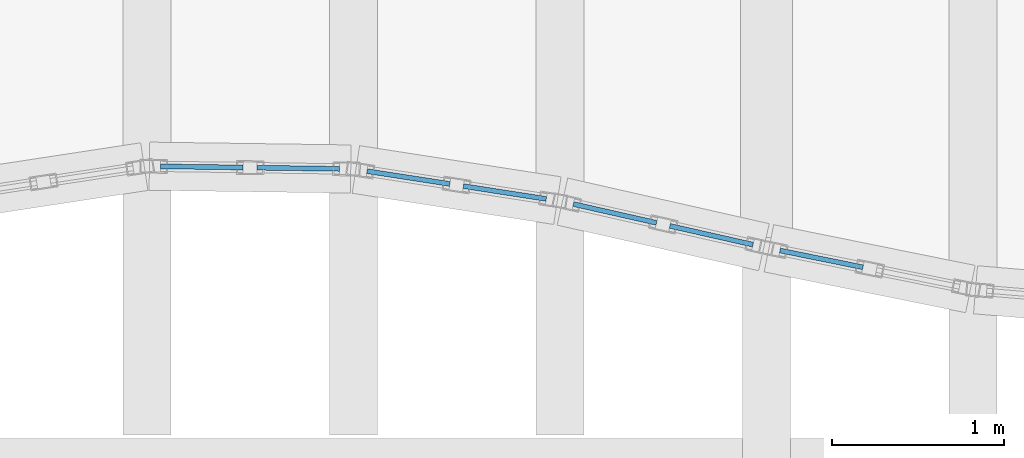
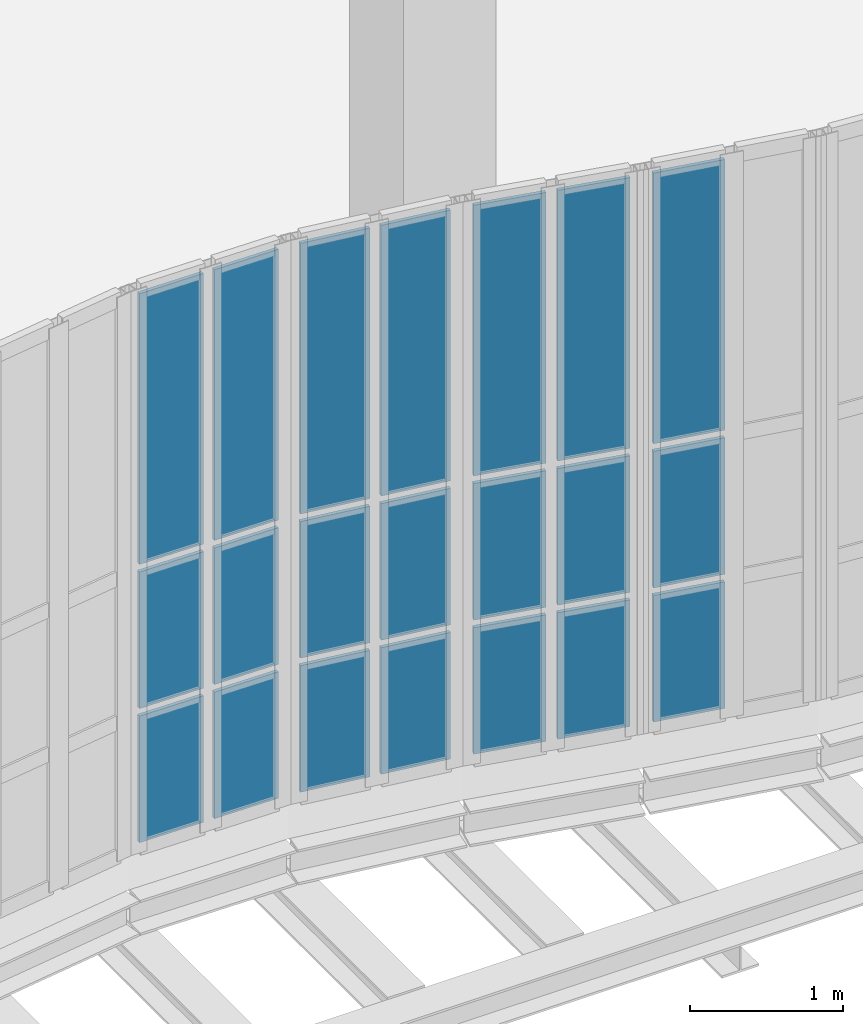
# One storey, part 78 of 108: 21 plates, 4 elements without a shape of their own.
"""IFC4 building model written with IfcOpenShell, lengths in metres."""

from ifc_helpers import new_model, si_unit, direction, frame, origin, origin_2d, place, context, subcontext, project, spatial, rectangle, extrude, material, layer, layer_set, type_object, element, aggregate, save


model = new_model("IFC4")

# Units and contexts
model_context = context("Model", 3, precision=1e-05, world=origin(), true_north=direction((0.0, 1.0)))
body_context = subcontext(model_context, "Body", "Model", "MODEL_VIEW")
ifc_project = project(units=[si_unit("LENGTHUNIT", "METRE"), si_unit("AREAUNIT", "SQUARE_METRE"), si_unit("VOLUMEUNIT", "CUBIC_METRE"), si_unit("PLANEANGLEUNIT", "RADIAN"), si_unit("MASSUNIT", "GRAM", prefix="KILO"), si_unit("THERMODYNAMICTEMPERATUREUNIT", "KELVIN"), si_unit("POWERUNIT", "WATT")], contexts=[model_context])

# Site, building, storey
site_placement = place(None, origin())
site = spatial("IfcSite", under=ifc_project, at=site_placement, CompositionType="ELEMENT")
building_placement = place(site_placement, origin())
building = spatial("IfcBuilding", under=site, at=building_placement, Name="Kaldorven Railside Theatre", CompositionType="ELEMENT")
storey_placement = place(building_placement, frame((0.0, 0.0, 5.39990234375)))
storey = spatial("IfcBuildingStorey", under=building, at=storey_placement, Name="L01", CompositionType="ELEMENT", Elevation=5.39990234375)

# Curtain wall, plates
ifc_material = material(Name="Low-E laminated solar-control glass", Category="glass")
ifc_layer_1 = layer(ifc_material, 0.159912109375, Name="Low-E laminated solar-control glass")
ifc_layer_set_1 = layer_set([ifc_layer_1], Name="Low-E laminated solar-control glass")
curtain_wall_type_1 = type_object("IfcCurtainWallType", Name="CWT-03", PredefinedType="USERDEFINED", material=ifc_layer_set_1)
curtain_wall_1_placement = place(storey_placement, origin())
curtain_wall_1 = element("IfcCurtainWall", 1, at=curtain_wall_1_placement, inside=storey, type_object=curtain_wall_type_1, Name="Sinusoidal Fluted Curtain Wall CW-L01-S40", ObjectType="FLUTED GLAZING", PredefinedType="USERDEFINED")
ifc_layer_2 = layer(ifc_material, 0.028076171875, Name="Low-E laminated solar-control glass")
ifc_layer_set_2 = layer_set([ifc_layer_2], Name="Low-E laminated solar-control glass")
plate_type = type_object("IfcPlateType", Name="CWP-GLZ28", PredefinedType="CURTAIN_PANEL", material=ifc_layer_set_2)
plate_1_placement = place(storey_placement, frame((83.919921875, 16.81689453125, 0.06005859375), z_axis=(0.0, 0.0, 1.0), x_axis=(0.999904333174, -0.013832009936, 0.0)))
plate_1 = element("IfcPlate", 2, at=plate_1_placement, type_object=plate_type, Name="CW-L01-S40 panel 1.1", PredefinedType="CURTAIN_PANEL", context=body_context, shape_type="SweptSolid", body=[
    extrude(rectangle(XDim=0.47998046875, YDim=0.028076171875, at=origin_2d()), origin(), (0.0, 0.0, 1.0), 1.010009765625),
])
plate_2_placement = place(storey_placement, frame((83.919921875, 16.81689453125, 1.1298828125), z_axis=(0.0, 0.0, 1.0), x_axis=(0.999904333174, -0.013832009936, 0.0)))
plate_2 = element("IfcPlate", 3, at=plate_2_placement, type_object=plate_type, Name="CW-L01-S40 panel 1.2", PredefinedType="CURTAIN_PANEL", context=body_context, shape_type="SweptSolid", body=[
    extrude(rectangle(XDim=0.47998046875, YDim=0.028076171875, at=origin_2d()), origin(), (0.0, 0.0, 1.0), 1.090087890625),
])
plate_3_placement = place(storey_placement, frame((83.919921875, 16.81689453125, 2.2802734375), z_axis=(0.0, 0.0, 1.0), x_axis=(0.999904333174, -0.013832009936, 0.0)))
plate_3 = element("IfcPlate", 4, at=plate_3_placement, type_object=plate_type, Name="CW-L01-S40 panel 1.3", PredefinedType="CURTAIN_PANEL", context=body_context, shape_type="SweptSolid", body=[
    extrude(rectangle(XDim=0.47998046875, YDim=0.028076171875, at=origin_2d()), origin(), (0.0, 0.0, 1.0), 2.159912109375),
])
plate_4_placement = place(storey_placement, frame((84.47998046875, 16.80908203125, 0.06005859375), z_axis=(0.0, 0.0, 1.0), x_axis=(0.999904333174, -0.013832009936, 0.0)))
plate_4 = element("IfcPlate", 5, at=plate_4_placement, type_object=plate_type, Name="CW-L01-S40 panel 2.1", PredefinedType="CURTAIN_PANEL", context=body_context, shape_type="SweptSolid", body=[
    extrude(rectangle(XDim=0.47998046875, YDim=0.028076171875, at=origin_2d()), origin(), (0.0, 0.0, 1.0), 1.010009765625),
])
plate_5_placement = place(storey_placement, frame((84.47998046875, 16.80908203125, 1.1298828125), z_axis=(0.0, 0.0, 1.0), x_axis=(0.999904333174, -0.013832009936, 0.0)))
plate_5 = element("IfcPlate", 6, at=plate_5_placement, type_object=plate_type, Name="CW-L01-S40 panel 2.2", PredefinedType="CURTAIN_PANEL", context=body_context, shape_type="SweptSolid", body=[
    extrude(rectangle(XDim=0.47998046875, YDim=0.028076171875, at=origin_2d()), origin(), (0.0, 0.0, 1.0), 1.090087890625),
])
plate_6_placement = place(storey_placement, frame((84.47998046875, 16.80908203125, 2.2802734375), z_axis=(0.0, 0.0, 1.0), x_axis=(0.999904333174, -0.013832009936, 0.0)))
plate_6 = element("IfcPlate", 7, at=plate_6_placement, type_object=plate_type, Name="CW-L01-S40 panel 2.3", PredefinedType="CURTAIN_PANEL", context=body_context, shape_type="SweptSolid", body=[
    extrude(rectangle(XDim=0.47998046875, YDim=0.028076171875, at=origin_2d()), origin(), (0.0, 0.0, 1.0), 2.159912109375),
])
aggregate(curtain_wall_1, [plate_1, plate_2, plate_3, plate_4, plate_5, plate_6])

ifc_layer_3 = layer(ifc_material, 0.159912109375, Name="Low-E laminated solar-control glass")
ifc_layer_set_3 = layer_set([ifc_layer_3], Name="Low-E laminated solar-control glass")
curtain_wall_type_2 = type_object("IfcCurtainWallType", Name="CWT-07", PredefinedType="USERDEFINED", material=ifc_layer_set_3)
curtain_wall_2_placement = place(storey_placement, origin())
curtain_wall_2 = element("IfcCurtainWall", 8, at=curtain_wall_2_placement, inside=storey, type_object=curtain_wall_type_2, Name="Sinusoidal Fluted Curtain Wall CW-L01-S41", ObjectType="FLUTED GLAZING", PredefinedType="USERDEFINED")
plate_7_placement = place(storey_placement, frame((85.119873046875, 16.755126953125, 0.06005859375), z_axis=(0.0, 0.0, 1.0), x_axis=(0.988224622989, -0.153010112468, 0.0)))
plate_7 = element("IfcPlate", 9, at=plate_7_placement, type_object=plate_type, Name="CW-L01-S41 panel 1.1", PredefinedType="CURTAIN_PANEL", context=body_context, shape_type="SweptSolid", body=[
    extrude(rectangle(XDim=0.487060546875, YDim=0.028076171875, at=origin_2d()), origin(), (0.0, 0.0, 1.0), 1.010009765625),
])
plate_8_placement = place(storey_placement, frame((85.119873046875, 16.755126953125, 1.1298828125), z_axis=(0.0, 0.0, 1.0), x_axis=(0.988224622989, -0.153010112468, 0.0)))
plate_8 = element("IfcPlate", 10, at=plate_8_placement, type_object=plate_type, Name="CW-L01-S41 panel 1.2", PredefinedType="CURTAIN_PANEL", context=body_context, shape_type="SweptSolid", body=[
    extrude(rectangle(XDim=0.487060546875, YDim=0.028076171875, at=origin_2d()), origin(), (0.0, 0.0, 1.0), 1.090087890625),
])
plate_9_placement = place(storey_placement, frame((85.119873046875, 16.755126953125, 2.2802734375), z_axis=(0.0, 0.0, 1.0), x_axis=(0.988224622989, -0.153010112468, 0.0)))
plate_9 = element("IfcPlate", 11, at=plate_9_placement, type_object=plate_type, Name="CW-L01-S41 panel 1.3", PredefinedType="CURTAIN_PANEL", context=body_context, shape_type="SweptSolid", body=[
    extrude(rectangle(XDim=0.487060546875, YDim=0.028076171875, at=origin_2d()), origin(), (0.0, 0.0, 1.0), 2.159912109375),
])
plate_10_placement = place(storey_placement, frame((85.68017578125, 16.668212890625, 0.06005859375), z_axis=(0.0, 0.0, 1.0), x_axis=(0.988224622989, -0.153010112468, 0.0)))
plate_10 = element("IfcPlate", 12, at=plate_10_placement, type_object=plate_type, Name="CW-L01-S41 panel 2.1", PredefinedType="CURTAIN_PANEL", context=body_context, shape_type="SweptSolid", body=[
    extrude(rectangle(XDim=0.487060546875, YDim=0.028076171875, at=origin_2d()), origin(), (0.0, 0.0, 1.0), 1.010009765625),
])
plate_11_placement = place(storey_placement, frame((85.68017578125, 16.668212890625, 1.1298828125), z_axis=(0.0, 0.0, 1.0), x_axis=(0.988224622989, -0.153010112468, 0.0)))
plate_11 = element("IfcPlate", 13, at=plate_11_placement, type_object=plate_type, Name="CW-L01-S41 panel 2.2", PredefinedType="CURTAIN_PANEL", context=body_context, shape_type="SweptSolid", body=[
    extrude(rectangle(XDim=0.487060546875, YDim=0.028076171875, at=origin_2d()), origin(), (0.0, 0.0, 1.0), 1.090087890625),
])
plate_12_placement = place(storey_placement, frame((85.68017578125, 16.668212890625, 2.2802734375), z_axis=(0.0, 0.0, 1.0), x_axis=(0.988224622989, -0.153010112468, 0.0)))
plate_12 = element("IfcPlate", 14, at=plate_12_placement, type_object=plate_type, Name="CW-L01-S41 panel 2.3", PredefinedType="CURTAIN_PANEL", context=body_context, shape_type="SweptSolid", body=[
    extrude(rectangle(XDim=0.487060546875, YDim=0.028076171875, at=origin_2d()), origin(), (0.0, 0.0, 1.0), 2.159912109375),
])
aggregate(curtain_wall_2, [plate_7, plate_8, plate_9, plate_10, plate_11, plate_12])

ifc_layer_4 = layer(ifc_material, 0.159912109375, Name="Low-E laminated solar-control glass")
ifc_layer_set_4 = layer_set([ifc_layer_4], Name="Low-E laminated solar-control glass")
curtain_wall_type_3 = type_object("IfcCurtainWallType", Name="CWT-02", PredefinedType="USERDEFINED", material=ifc_layer_set_4)
curtain_wall_3_placement = place(storey_placement, origin())
curtain_wall_3 = element("IfcCurtainWall", 15, at=curtain_wall_3_placement, inside=storey, type_object=curtain_wall_type_3, Name="Sinusoidal Fluted Curtain Wall CW-L01-S42", ObjectType="FLUTED GLAZING", PredefinedType="USERDEFINED")
plate_13_placement = place(storey_placement, frame((86.319580078125, 16.546630859375, 0.06005859375), z_axis=(0.0, 0.0, 1.0), x_axis=(0.975347967451, -0.220672477642, 0.0)))
plate_13 = element("IfcPlate", 16, at=plate_13_placement, type_object=plate_type, Name="CW-L01-S42 panel 1.1", PredefinedType="CURTAIN_PANEL", context=body_context, shape_type="SweptSolid", body=[
    extrude(rectangle(XDim=0.4951171875, YDim=0.028076171875, at=origin_2d()), origin(), (0.0, 0.0, 1.0), 1.010009765625),
])
plate_14_placement = place(storey_placement, frame((86.319580078125, 16.546630859375, 1.1298828125), z_axis=(0.0, 0.0, 1.0), x_axis=(0.975347967451, -0.220672477642, 0.0)))
plate_14 = element("IfcPlate", 17, at=plate_14_placement, type_object=plate_type, Name="CW-L01-S42 panel 1.2", PredefinedType="CURTAIN_PANEL", context=body_context, shape_type="SweptSolid", body=[
    extrude(rectangle(XDim=0.4951171875, YDim=0.028076171875, at=origin_2d()), origin(), (0.0, 0.0, 1.0), 1.090087890625),
])
plate_15_placement = place(storey_placement, frame((86.319580078125, 16.546630859375, 2.2802734375), z_axis=(0.0, 0.0, 1.0), x_axis=(0.975347967451, -0.220672477642, 0.0)))
plate_15 = element("IfcPlate", 18, at=plate_15_placement, type_object=plate_type, Name="CW-L01-S42 panel 1.3", PredefinedType="CURTAIN_PANEL", context=body_context, shape_type="SweptSolid", body=[
    extrude(rectangle(XDim=0.4951171875, YDim=0.028076171875, at=origin_2d()), origin(), (0.0, 0.0, 1.0), 2.159912109375),
])
plate_16_placement = place(storey_placement, frame((86.88037109375, 16.419677734375, 0.06005859375), z_axis=(0.0, 0.0, 1.0), x_axis=(0.975347967451, -0.220672477642, 0.0)))
plate_16 = element("IfcPlate", 19, at=plate_16_placement, type_object=plate_type, Name="CW-L01-S42 panel 2.1", PredefinedType="CURTAIN_PANEL", context=body_context, shape_type="SweptSolid", body=[
    extrude(rectangle(XDim=0.4951171875, YDim=0.028076171875, at=origin_2d()), origin(), (0.0, 0.0, 1.0), 1.010009765625),
])
plate_17_placement = place(storey_placement, frame((86.88037109375, 16.419677734375, 1.1298828125), z_axis=(0.0, 0.0, 1.0), x_axis=(0.975347967451, -0.220672477642, 0.0)))
plate_17 = element("IfcPlate", 20, at=plate_17_placement, type_object=plate_type, Name="CW-L01-S42 panel 2.2", PredefinedType="CURTAIN_PANEL", context=body_context, shape_type="SweptSolid", body=[
    extrude(rectangle(XDim=0.4951171875, YDim=0.028076171875, at=origin_2d()), origin(), (0.0, 0.0, 1.0), 1.090087890625),
])
plate_18_placement = place(storey_placement, frame((86.88037109375, 16.419677734375, 2.2802734375), z_axis=(0.0, 0.0, 1.0), x_axis=(0.975347967451, -0.220672477642, 0.0)))
plate_18 = element("IfcPlate", 21, at=plate_18_placement, type_object=plate_type, Name="CW-L01-S42 panel 2.3", PredefinedType="CURTAIN_PANEL", context=body_context, shape_type="SweptSolid", body=[
    extrude(rectangle(XDim=0.4951171875, YDim=0.028076171875, at=origin_2d()), origin(), (0.0, 0.0, 1.0), 2.159912109375),
])
aggregate(curtain_wall_3, [plate_13, plate_14, plate_15, plate_16, plate_17, plate_18])

curtain_wall_4_placement = place(storey_placement, origin())
curtain_wall_4 = element("IfcCurtainWall", 22, at=curtain_wall_4_placement, inside=storey, type_object=curtain_wall_type_2, Name="Sinusoidal Fluted Curtain Wall CW-L01-S43", ObjectType="FLUTED GLAZING", PredefinedType="USERDEFINED")
plate_19_placement = place(storey_placement, frame((87.51953125, 16.28271484375, 0.06005859375), z_axis=(0.0, 0.0, 1.0), x_axis=(0.980122525097, -0.198393134453, 0.0)))
plate_19 = element("IfcPlate", 23, at=plate_19_placement, type_object=plate_type, Name="CW-L01-S43 panel 1.1", PredefinedType="CURTAIN_PANEL", context=body_context, shape_type="SweptSolid", body=[
    extrude(rectangle(XDim=0.4921875, YDim=0.028076171875, at=origin_2d()), origin(), (0.0, 0.0, 1.0), 1.010009765625),
])
plate_20_placement = place(storey_placement, frame((87.51953125, 16.28271484375, 1.1298828125), z_axis=(0.0, 0.0, 1.0), x_axis=(0.980122525097, -0.198393134453, 0.0)))
plate_20 = element("IfcPlate", 24, at=plate_20_placement, type_object=plate_type, Name="CW-L01-S43 panel 1.2", PredefinedType="CURTAIN_PANEL", context=body_context, shape_type="SweptSolid", body=[
    extrude(rectangle(XDim=0.4921875, YDim=0.028076171875, at=origin_2d()), origin(), (0.0, 0.0, 1.0), 1.090087890625),
])
plate_21_placement = place(storey_placement, frame((87.51953125, 16.28271484375, 2.2802734375), z_axis=(0.0, 0.0, 1.0), x_axis=(0.980122525097, -0.198393134453, 0.0)))
plate_21 = element("IfcPlate", 25, at=plate_21_placement, type_object=plate_type, Name="CW-L01-S43 panel 1.3", PredefinedType="CURTAIN_PANEL", context=body_context, shape_type="SweptSolid", body=[
    extrude(rectangle(XDim=0.4921875, YDim=0.028076171875, at=origin_2d()), origin(), (0.0, 0.0, 1.0), 2.159912109375),
])
aggregate(curtain_wall_4, [plate_19, plate_20, plate_21])

save(model, "model.ifc")
